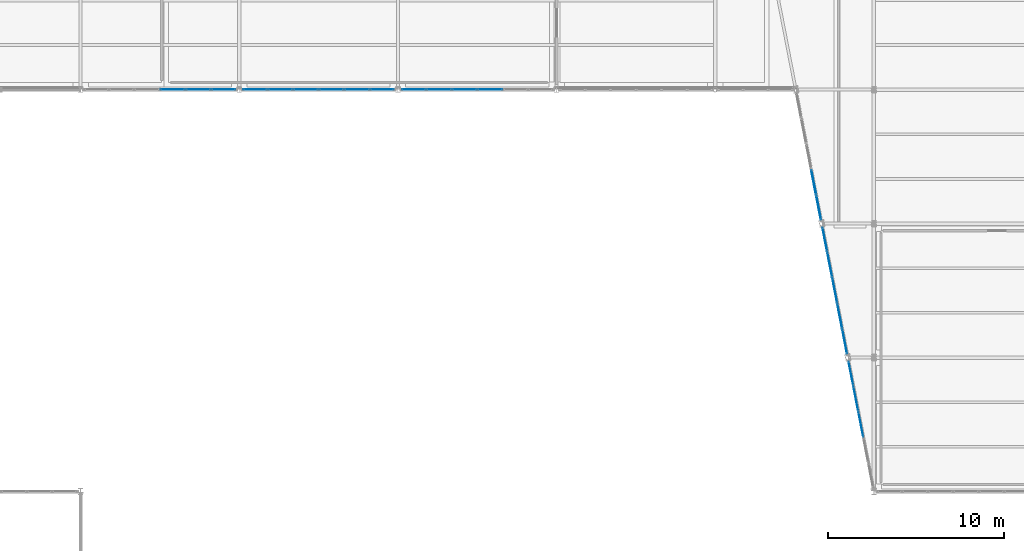
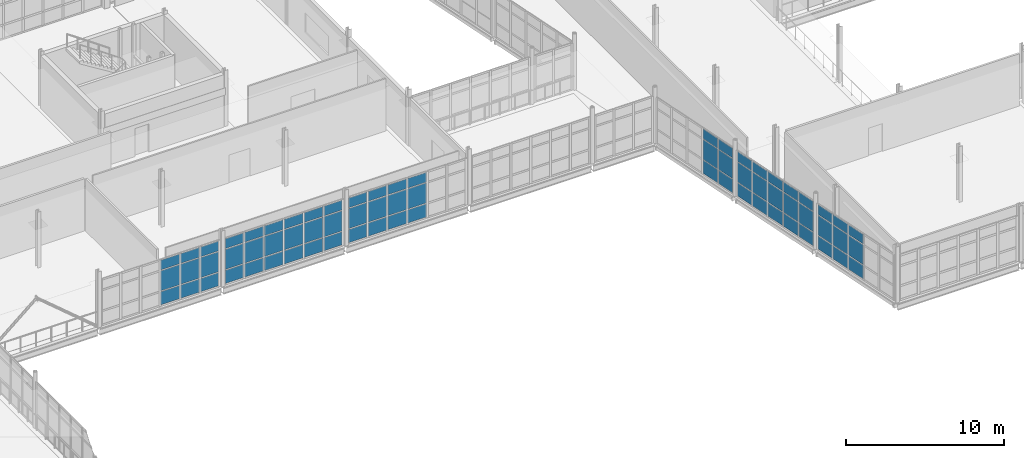
# One storey, part 138 of 174: 69 plates, 6 elements without a shape of their own.
"""IFC4 building model written with IfcOpenShell, lengths in metres."""

from ifc_helpers import new_model, si_unit, direction, frame, origin, origin_2d, place, context, subcontext, project, spatial, rectangle, extrude, material, layer, layer_set, type_object, element, aggregate, save


model = new_model("IFC4")

# Units and contexts
model_context = context("Model", 3, precision=1e-05, world=origin(), true_north=direction((0.0, 1.0)))
body_context = subcontext(model_context, "Body", "Model", "MODEL_VIEW")
ifc_project = project(units=[si_unit("LENGTHUNIT", "METRE"), si_unit("AREAUNIT", "SQUARE_METRE"), si_unit("VOLUMEUNIT", "CUBIC_METRE"), si_unit("PLANEANGLEUNIT", "RADIAN"), si_unit("MASSUNIT", "GRAM", prefix="KILO")], contexts=[model_context])

# Site, building, storey
site_placement = place(None, origin())
site = spatial("IfcSite", under=ifc_project, at=site_placement, CompositionType="ELEMENT")
building_placement = place(site_placement, origin())
building = spatial("IfcBuilding", under=site, at=building_placement, Name="Caisbarro Railhouse Central Library", CompositionType="ELEMENT")
storey_placement = place(building_placement, frame((0.0, 0.0, 5.0400390625)))
storey = spatial("IfcBuildingStorey", under=building, at=storey_placement, Name="L01", CompositionType="ELEMENT", Elevation=5.0400390625)

# Curtain wall, plates
ifc_material_1 = material(Name="Anodised architectural aluminium", Category="aluminium")
curtain_wall_type = type_object("IfcCurtainWallType", Name="CW-CW02", PredefinedType="NOTDEFINED", material=ifc_material_1)
curtain_wall_1_placement = place(storey_placement, origin())
curtain_wall_1 = element("IfcCurtainWall", 1, at=curtain_wall_1_placement, inside=storey, type_object=curtain_wall_type, Name="CW02 curtain wall L01 #110", PredefinedType="NOTDEFINED")
ifc_material_2 = material(Name="Double low-e laminated solar-control glass", Category="glass")
ifc_layer_1 = layer(ifc_material_2, 0.01806640625, Name="Double low-e laminated solar-control glass")
ifc_layer_set_1 = layer_set([ifc_layer_1], Name="Double low-e laminated solar-control glass")
plate_type_1 = type_object("IfcPlateType", Name="CWP-CP18", PredefinedType="CURTAIN_PANEL", material=ifc_layer_set_1)
plate_1_placement = place(storey_placement, frame((116.261474609375, 64.60009765625, 0.06494140625), z_axis=(0.0, 0.0, 1.0), x_axis=(-0.190780945369, 0.981632635401, 0.0)))
plate_1 = element("IfcPlate", 2, at=plate_1_placement, type_object=plate_type_1, Name="CW02 panel 3.1", PredefinedType="CURTAIN_PANEL", context=body_context, shape_type="SweptSolid", body=[
    extrude(rectangle(XDim=1.409423828125, YDim=0.01806640625, at=origin_2d()), origin(), (0.0, 0.0, 1.0), 1.0224609375),
])
plate_2_placement = place(storey_placement, frame((116.261474609375, 64.60009765625, 1.152587890625), z_axis=(0.0, 0.0, 1.0), x_axis=(-0.190780945369, 0.981632635401, 0.0)))
plate_2 = element("IfcPlate", 3, at=plate_2_placement, type_object=plate_type_1, Name="CW02 panel 3.2", PredefinedType="CURTAIN_PANEL", context=body_context, shape_type="SweptSolid", body=[
    extrude(rectangle(XDim=1.409423828125, YDim=0.01806640625, at=origin_2d()), origin(), (0.0, 0.0, 1.0), 1.52490234375),
])
plate_3_placement = place(storey_placement, frame((116.261474609375, 64.60009765625, 2.742431640625), z_axis=(0.0, 0.0, 1.0), x_axis=(-0.190780945369, 0.981632635401, 0.0)))
plate_3 = element("IfcPlate", 4, at=plate_3_placement, type_object=plate_type_1, Name="CW02 panel 3.3", PredefinedType="CURTAIN_PANEL", context=body_context, shape_type="SweptSolid", body=[
    extrude(rectangle(XDim=1.409423828125, YDim=0.01806640625, at=origin_2d()), origin(), (0.0, 0.0, 1.0), 0.75244140625),
])
plate_4_placement = place(storey_placement, frame((115.978271484375, 66.05712890625, 0.06494140625), z_axis=(0.0, 0.0, 1.0), x_axis=(-0.190780945369, 0.981632635401, 0.0)))
plate_4 = element("IfcPlate", 5, at=plate_4_placement, type_object=plate_type_1, Name="CW02 panel 4.1", PredefinedType="CURTAIN_PANEL", context=body_context, shape_type="SweptSolid", body=[
    extrude(rectangle(XDim=1.409423828125, YDim=0.01806640625, at=origin_2d()), origin(), (0.0, 0.0, 1.0), 1.0224609375),
])
plate_5_placement = place(storey_placement, frame((115.978271484375, 66.05712890625, 1.152587890625), z_axis=(0.0, 0.0, 1.0), x_axis=(-0.190780945369, 0.981632635401, 0.0)))
plate_5 = element("IfcPlate", 6, at=plate_5_placement, type_object=plate_type_1, Name="CW02 panel 4.2", PredefinedType="CURTAIN_PANEL", context=body_context, shape_type="SweptSolid", body=[
    extrude(rectangle(XDim=1.409423828125, YDim=0.01806640625, at=origin_2d()), origin(), (0.0, 0.0, 1.0), 1.52490234375),
])
plate_6_placement = place(storey_placement, frame((115.978271484375, 66.05712890625, 2.742431640625), z_axis=(0.0, 0.0, 1.0), x_axis=(-0.190780945369, 0.981632635401, 0.0)))
plate_6 = element("IfcPlate", 7, at=plate_6_placement, type_object=plate_type_1, Name="CW02 panel 4.3", PredefinedType="CURTAIN_PANEL", context=body_context, shape_type="SweptSolid", body=[
    extrude(rectangle(XDim=1.409423828125, YDim=0.01806640625, at=origin_2d()), origin(), (0.0, 0.0, 1.0), 0.75244140625),
])
plate_7_placement = place(storey_placement, frame((115.69873046875, 67.495849609375, 0.06494140625), z_axis=(0.0, 0.0, 1.0), x_axis=(-0.190780945369, 0.981632635401, 0.0)))
plate_7 = element("IfcPlate", 8, at=plate_7_placement, type_object=plate_type_1, Name="CW02 panel 5.1", PredefinedType="CURTAIN_PANEL", context=body_context, shape_type="SweptSolid", body=[
    extrude(rectangle(XDim=1.371826171875, YDim=0.01806640625, at=origin_2d()), origin(), (0.0, 0.0, 1.0), 1.0224609375),
])
plate_8_placement = place(storey_placement, frame((115.69873046875, 67.495849609375, 1.152587890625), z_axis=(0.0, 0.0, 1.0), x_axis=(-0.190780945369, 0.981632635401, 0.0)))
plate_8 = element("IfcPlate", 9, at=plate_8_placement, type_object=plate_type_1, Name="CW02 panel 5.2", PredefinedType="CURTAIN_PANEL", context=body_context, shape_type="SweptSolid", body=[
    extrude(rectangle(XDim=1.371826171875, YDim=0.01806640625, at=origin_2d()), origin(), (0.0, 0.0, 1.0), 1.52490234375),
])
plate_9_placement = place(storey_placement, frame((115.69873046875, 67.495849609375, 2.742431640625), z_axis=(0.0, 0.0, 1.0), x_axis=(-0.190780945369, 0.981632635401, 0.0)))
plate_9 = element("IfcPlate", 10, at=plate_9_placement, type_object=plate_type_1, Name="CW02 panel 5.3", PredefinedType="CURTAIN_PANEL", context=body_context, shape_type="SweptSolid", body=[
    extrude(rectangle(XDim=1.371826171875, YDim=0.01806640625, at=origin_2d()), origin(), (0.0, 0.0, 1.0), 0.75244140625),
])
aggregate(curtain_wall_1, [plate_1, plate_2, plate_3, plate_4, plate_5, plate_6, plate_7, plate_8, plate_9])

curtain_wall_2_placement = place(storey_placement, origin())
curtain_wall_2 = element("IfcCurtainWall", 11, at=curtain_wall_2_placement, inside=storey, type_object=curtain_wall_type, Name="CW02 curtain wall L01 #174", PredefinedType="NOTDEFINED")
plate_10_placement = place(storey_placement, frame((77.223388671875, 83.60009765625, 0.06494140625), z_axis=(0.0, 0.0, 1.0), x_axis=(1.0, 0.0, 0.0)))
plate_10 = element("IfcPlate", 12, at=plate_10_placement, type_object=plate_type_1, Name="CW02 panel 4.1", PredefinedType="CURTAIN_PANEL", context=body_context, shape_type="SweptSolid", body=[
    extrude(rectangle(XDim=1.37158203125, YDim=0.01806640625, at=origin_2d()), origin(), (0.0, 0.0, 1.0), 1.0224609375),
])
plate_11_placement = place(storey_placement, frame((77.223388671875, 83.60009765625, 1.152587890625), z_axis=(0.0, 0.0, 1.0), x_axis=(1.0, 0.0, 0.0)))
plate_11 = element("IfcPlate", 13, at=plate_11_placement, type_object=plate_type_1, Name="CW02 panel 4.2", PredefinedType="CURTAIN_PANEL", context=body_context, shape_type="SweptSolid", body=[
    extrude(rectangle(XDim=1.37158203125, YDim=0.01806640625, at=origin_2d()), origin(), (0.0, 0.0, 1.0), 1.544921875),
])
plate_12_placement = place(storey_placement, frame((77.223388671875, 83.60009765625, 2.762451171875), z_axis=(0.0, 0.0, 1.0), x_axis=(1.0, 0.0, 0.0)))
plate_12 = element("IfcPlate", 14, at=plate_12_placement, type_object=plate_type_1, Name="CW02 panel 4.3", PredefinedType="CURTAIN_PANEL", context=body_context, shape_type="SweptSolid", body=[
    extrude(rectangle(XDim=1.37158203125, YDim=0.01806640625, at=origin_2d()), origin(), (0.0, 0.0, 1.0), 0.75244140625),
])
plate_13_placement = place(storey_placement, frame((78.669921875, 83.60009765625, 0.06494140625), z_axis=(0.0, 0.0, 1.0), x_axis=(1.0, 0.0, 0.0)))
plate_13 = element("IfcPlate", 15, at=plate_13_placement, type_object=plate_type_1, Name="CW02 panel 5.1", PredefinedType="CURTAIN_PANEL", context=body_context, shape_type="SweptSolid", body=[
    extrude(rectangle(XDim=1.37158203125, YDim=0.01806640625, at=origin_2d()), origin(), (0.0, 0.0, 1.0), 1.0224609375),
])
plate_14_placement = place(storey_placement, frame((78.669921875, 83.60009765625, 1.152587890625), z_axis=(0.0, 0.0, 1.0), x_axis=(1.0, 0.0, 0.0)))
plate_14 = element("IfcPlate", 16, at=plate_14_placement, type_object=plate_type_1, Name="CW02 panel 5.2", PredefinedType="CURTAIN_PANEL", context=body_context, shape_type="SweptSolid", body=[
    extrude(rectangle(XDim=1.37158203125, YDim=0.01806640625, at=origin_2d()), origin(), (0.0, 0.0, 1.0), 1.544921875),
])
plate_15_placement = place(storey_placement, frame((78.669921875, 83.60009765625, 2.762451171875), z_axis=(0.0, 0.0, 1.0), x_axis=(1.0, 0.0, 0.0)))
plate_15 = element("IfcPlate", 17, at=plate_15_placement, type_object=plate_type_1, Name="CW02 panel 5.3", PredefinedType="CURTAIN_PANEL", context=body_context, shape_type="SweptSolid", body=[
    extrude(rectangle(XDim=1.37158203125, YDim=0.01806640625, at=origin_2d()), origin(), (0.0, 0.0, 1.0), 0.75244140625),
])
plate_16_placement = place(storey_placement, frame((80.097900390625, 83.60009765625, 0.06494140625), z_axis=(0.0, 0.0, 1.0), x_axis=(1.0, 0.0, 0.0)))
plate_16 = element("IfcPlate", 18, at=plate_16_placement, type_object=plate_type_1, Name="CW02 panel 6.1", PredefinedType="CURTAIN_PANEL", context=body_context, shape_type="SweptSolid", body=[
    extrude(rectangle(XDim=1.334228515625, YDim=0.01806640625, at=origin_2d()), origin(), (0.0, 0.0, 1.0), 1.0224609375),
])
plate_17_placement = place(storey_placement, frame((80.097900390625, 83.60009765625, 1.152587890625), z_axis=(0.0, 0.0, 1.0), x_axis=(1.0, 0.0, 0.0)))
plate_17 = element("IfcPlate", 19, at=plate_17_placement, type_object=plate_type_1, Name="CW02 panel 6.2", PredefinedType="CURTAIN_PANEL", context=body_context, shape_type="SweptSolid", body=[
    extrude(rectangle(XDim=1.334228515625, YDim=0.01806640625, at=origin_2d()), origin(), (0.0, 0.0, 1.0), 1.544921875),
])
plate_18_placement = place(storey_placement, frame((80.097900390625, 83.60009765625, 2.762451171875), z_axis=(0.0, 0.0, 1.0), x_axis=(1.0, 0.0, 0.0)))
plate_18 = element("IfcPlate", 20, at=plate_18_placement, type_object=plate_type_1, Name="CW02 panel 6.3", PredefinedType="CURTAIN_PANEL", context=body_context, shape_type="SweptSolid", body=[
    extrude(rectangle(XDim=1.334228515625, YDim=0.01806640625, at=origin_2d()), origin(), (0.0, 0.0, 1.0), 0.75244140625),
])
aggregate(curtain_wall_2, [plate_10, plate_11, plate_12, plate_13, plate_14, plate_15, plate_16, plate_17, plate_18])

curtain_wall_3_placement = place(storey_placement, origin())
curtain_wall_3 = element("IfcCurtainWall", 21, at=curtain_wall_3_placement, inside=storey, type_object=curtain_wall_type, Name="CW02 curtain wall L01 #176", PredefinedType="NOTDEFINED")
plate_19_placement = place(storey_placement, frame((81.902099609375, 83.60009765625, 0.06494140625), z_axis=(0.0, 0.0, 1.0), x_axis=(1.0, 0.0, 0.0)))
plate_19 = element("IfcPlate", 22, at=plate_19_placement, type_object=plate_type_1, Name="CW02 panel 1.1", PredefinedType="CURTAIN_PANEL", context=body_context, shape_type="SweptSolid", body=[
    extrude(rectangle(XDim=1.334228515625, YDim=0.01806640625, at=origin_2d()), origin(), (0.0, 0.0, 1.0), 1.0224609375),
])
plate_20_placement = place(storey_placement, frame((81.902099609375, 83.60009765625, 1.152587890625), z_axis=(0.0, 0.0, 1.0), x_axis=(1.0, 0.0, 0.0)))
plate_20 = element("IfcPlate", 23, at=plate_20_placement, type_object=plate_type_1, Name="CW02 panel 1.2", PredefinedType="CURTAIN_PANEL", context=body_context, shape_type="SweptSolid", body=[
    extrude(rectangle(XDim=1.334228515625, YDim=0.01806640625, at=origin_2d()), origin(), (0.0, 0.0, 1.0), 1.544921875),
])
plate_21_placement = place(storey_placement, frame((81.902099609375, 83.60009765625, 2.762451171875), z_axis=(0.0, 0.0, 1.0), x_axis=(1.0, 0.0, 0.0)))
plate_21 = element("IfcPlate", 24, at=plate_21_placement, type_object=plate_type_1, Name="CW02 panel 1.3", PredefinedType="CURTAIN_PANEL", context=body_context, shape_type="SweptSolid", body=[
    extrude(rectangle(XDim=1.334228515625, YDim=0.01806640625, at=origin_2d()), origin(), (0.0, 0.0, 1.0), 0.75244140625),
])
plate_22_placement = place(storey_placement, frame((83.330078125, 83.60009765625, 0.06494140625), z_axis=(0.0, 0.0, 1.0), x_axis=(1.0, 0.0, 0.0)))
plate_22 = element("IfcPlate", 25, at=plate_22_placement, type_object=plate_type_1, Name="CW02 panel 2.1", PredefinedType="CURTAIN_PANEL", context=body_context, shape_type="SweptSolid", body=[
    extrude(rectangle(XDim=1.37158203125, YDim=0.01806640625, at=origin_2d()), origin(), (0.0, 0.0, 1.0), 1.0224609375),
])
plate_23_placement = place(storey_placement, frame((83.330078125, 83.60009765625, 1.152587890625), z_axis=(0.0, 0.0, 1.0), x_axis=(1.0, 0.0, 0.0)))
plate_23 = element("IfcPlate", 26, at=plate_23_placement, type_object=plate_type_1, Name="CW02 panel 2.2", PredefinedType="CURTAIN_PANEL", context=body_context, shape_type="SweptSolid", body=[
    extrude(rectangle(XDim=1.37158203125, YDim=0.01806640625, at=origin_2d()), origin(), (0.0, 0.0, 1.0), 1.544921875),
])
plate_24_placement = place(storey_placement, frame((83.330078125, 83.60009765625, 2.762451171875), z_axis=(0.0, 0.0, 1.0), x_axis=(1.0, 0.0, 0.0)))
plate_24 = element("IfcPlate", 27, at=plate_24_placement, type_object=plate_type_1, Name="CW02 panel 2.3", PredefinedType="CURTAIN_PANEL", context=body_context, shape_type="SweptSolid", body=[
    extrude(rectangle(XDim=1.37158203125, YDim=0.01806640625, at=origin_2d()), origin(), (0.0, 0.0, 1.0), 0.75244140625),
])
plate_25_placement = place(storey_placement, frame((84.776611328125, 83.60009765625, 0.06494140625), z_axis=(0.0, 0.0, 1.0), x_axis=(1.0, 0.0, 0.0)))
plate_25 = element("IfcPlate", 28, at=plate_25_placement, type_object=plate_type_1, Name="CW02 panel 3.1", PredefinedType="CURTAIN_PANEL", context=body_context, shape_type="SweptSolid", body=[
    extrude(rectangle(XDim=1.37158203125, YDim=0.01806640625, at=origin_2d()), origin(), (0.0, 0.0, 1.0), 1.0224609375),
])
plate_26_placement = place(storey_placement, frame((84.776611328125, 83.60009765625, 1.152587890625), z_axis=(0.0, 0.0, 1.0), x_axis=(1.0, 0.0, 0.0)))
plate_26 = element("IfcPlate", 29, at=plate_26_placement, type_object=plate_type_1, Name="CW02 panel 3.2", PredefinedType="CURTAIN_PANEL", context=body_context, shape_type="SweptSolid", body=[
    extrude(rectangle(XDim=1.37158203125, YDim=0.01806640625, at=origin_2d()), origin(), (0.0, 0.0, 1.0), 1.544921875),
])
plate_27_placement = place(storey_placement, frame((84.776611328125, 83.60009765625, 2.762451171875), z_axis=(0.0, 0.0, 1.0), x_axis=(1.0, 0.0, 0.0)))
plate_27 = element("IfcPlate", 30, at=plate_27_placement, type_object=plate_type_1, Name="CW02 panel 3.3", PredefinedType="CURTAIN_PANEL", context=body_context, shape_type="SweptSolid", body=[
    extrude(rectangle(XDim=1.37158203125, YDim=0.01806640625, at=origin_2d()), origin(), (0.0, 0.0, 1.0), 0.75244140625),
])
plate_28_placement = place(storey_placement, frame((86.223388671875, 83.60009765625, 0.06494140625), z_axis=(0.0, 0.0, 1.0), x_axis=(1.0, 0.0, 0.0)))
plate_28 = element("IfcPlate", 31, at=plate_28_placement, type_object=plate_type_1, Name="CW02 panel 4.1", PredefinedType="CURTAIN_PANEL", context=body_context, shape_type="SweptSolid", body=[
    extrude(rectangle(XDim=1.37158203125, YDim=0.01806640625, at=origin_2d()), origin(), (0.0, 0.0, 1.0), 1.0224609375),
])
plate_29_placement = place(storey_placement, frame((86.223388671875, 83.60009765625, 1.152587890625), z_axis=(0.0, 0.0, 1.0), x_axis=(1.0, 0.0, 0.0)))
plate_29 = element("IfcPlate", 32, at=plate_29_placement, type_object=plate_type_1, Name="CW02 panel 4.2", PredefinedType="CURTAIN_PANEL", context=body_context, shape_type="SweptSolid", body=[
    extrude(rectangle(XDim=1.37158203125, YDim=0.01806640625, at=origin_2d()), origin(), (0.0, 0.0, 1.0), 1.544921875),
])
plate_30_placement = place(storey_placement, frame((86.223388671875, 83.60009765625, 2.762451171875), z_axis=(0.0, 0.0, 1.0), x_axis=(1.0, 0.0, 0.0)))
plate_30 = element("IfcPlate", 33, at=plate_30_placement, type_object=plate_type_1, Name="CW02 panel 4.3", PredefinedType="CURTAIN_PANEL", context=body_context, shape_type="SweptSolid", body=[
    extrude(rectangle(XDim=1.37158203125, YDim=0.01806640625, at=origin_2d()), origin(), (0.0, 0.0, 1.0), 0.75244140625),
])
plate_31_placement = place(storey_placement, frame((87.669921875, 83.60009765625, 0.06494140625), z_axis=(0.0, 0.0, 1.0), x_axis=(1.0, 0.0, 0.0)))
plate_31 = element("IfcPlate", 34, at=plate_31_placement, type_object=plate_type_1, Name="CW02 panel 5.1", PredefinedType="CURTAIN_PANEL", context=body_context, shape_type="SweptSolid", body=[
    extrude(rectangle(XDim=1.37158203125, YDim=0.01806640625, at=origin_2d()), origin(), (0.0, 0.0, 1.0), 1.0224609375),
])
plate_32_placement = place(storey_placement, frame((87.669921875, 83.60009765625, 1.152587890625), z_axis=(0.0, 0.0, 1.0), x_axis=(1.0, 0.0, 0.0)))
plate_32 = element("IfcPlate", 35, at=plate_32_placement, type_object=plate_type_1, Name="CW02 panel 5.2", PredefinedType="CURTAIN_PANEL", context=body_context, shape_type="SweptSolid", body=[
    extrude(rectangle(XDim=1.37158203125, YDim=0.01806640625, at=origin_2d()), origin(), (0.0, 0.0, 1.0), 1.544921875),
])
plate_33_placement = place(storey_placement, frame((87.669921875, 83.60009765625, 2.762451171875), z_axis=(0.0, 0.0, 1.0), x_axis=(1.0, 0.0, 0.0)))
plate_33 = element("IfcPlate", 36, at=plate_33_placement, type_object=plate_type_1, Name="CW02 panel 5.3", PredefinedType="CURTAIN_PANEL", context=body_context, shape_type="SweptSolid", body=[
    extrude(rectangle(XDim=1.37158203125, YDim=0.01806640625, at=origin_2d()), origin(), (0.0, 0.0, 1.0), 0.75244140625),
])
plate_34_placement = place(storey_placement, frame((89.097900390625, 83.60009765625, 0.06494140625), z_axis=(0.0, 0.0, 1.0), x_axis=(1.0, 0.0, 0.0)))
plate_34 = element("IfcPlate", 37, at=plate_34_placement, type_object=plate_type_1, Name="CW02 panel 6.1", PredefinedType="CURTAIN_PANEL", context=body_context, shape_type="SweptSolid", body=[
    extrude(rectangle(XDim=1.334228515625, YDim=0.01806640625, at=origin_2d()), origin(), (0.0, 0.0, 1.0), 1.0224609375),
])
plate_35_placement = place(storey_placement, frame((89.097900390625, 83.60009765625, 1.152587890625), z_axis=(0.0, 0.0, 1.0), x_axis=(1.0, 0.0, 0.0)))
plate_35 = element("IfcPlate", 38, at=plate_35_placement, type_object=plate_type_1, Name="CW02 panel 6.2", PredefinedType="CURTAIN_PANEL", context=body_context, shape_type="SweptSolid", body=[
    extrude(rectangle(XDim=1.334228515625, YDim=0.01806640625, at=origin_2d()), origin(), (0.0, 0.0, 1.0), 1.544921875),
])
plate_36_placement = place(storey_placement, frame((89.097900390625, 83.60009765625, 2.762451171875), z_axis=(0.0, 0.0, 1.0), x_axis=(1.0, 0.0, 0.0)))
plate_36 = element("IfcPlate", 39, at=plate_36_placement, type_object=plate_type_1, Name="CW02 panel 6.3", PredefinedType="CURTAIN_PANEL", context=body_context, shape_type="SweptSolid", body=[
    extrude(rectangle(XDim=1.334228515625, YDim=0.01806640625, at=origin_2d()), origin(), (0.0, 0.0, 1.0), 0.75244140625),
])
aggregate(curtain_wall_3, [plate_19, plate_20, plate_21, plate_22, plate_23, plate_24, plate_25, plate_26, plate_27, plate_28, plate_29, plate_30, plate_31, plate_32, plate_33, plate_34, plate_35, plate_36])

curtain_wall_4_placement = place(storey_placement, origin())
curtain_wall_4 = element("IfcCurtainWall", 40, at=curtain_wall_4_placement, inside=storey, type_object=curtain_wall_type, Name="CW02 curtain wall L01 #178", PredefinedType="NOTDEFINED")
plate_37_placement = place(storey_placement, frame((90.902099609375, 83.60009765625, 0.06494140625), z_axis=(0.0, 0.0, 1.0), x_axis=(1.0, 0.0, 0.0)))
plate_37 = element("IfcPlate", 41, at=plate_37_placement, type_object=plate_type_1, Name="CW02 panel 1.1", PredefinedType="CURTAIN_PANEL", context=body_context, shape_type="SweptSolid", body=[
    extrude(rectangle(XDim=1.334228515625, YDim=0.01806640625, at=origin_2d()), origin(), (0.0, 0.0, 1.0), 1.0224609375),
])
plate_38_placement = place(storey_placement, frame((90.902099609375, 83.60009765625, 1.152587890625), z_axis=(0.0, 0.0, 1.0), x_axis=(1.0, 0.0, 0.0)))
plate_38 = element("IfcPlate", 42, at=plate_38_placement, type_object=plate_type_1, Name="CW02 panel 1.2", PredefinedType="CURTAIN_PANEL", context=body_context, shape_type="SweptSolid", body=[
    extrude(rectangle(XDim=1.334228515625, YDim=0.01806640625, at=origin_2d()), origin(), (0.0, 0.0, 1.0), 1.544921875),
])
plate_39_placement = place(storey_placement, frame((90.902099609375, 83.60009765625, 2.762451171875), z_axis=(0.0, 0.0, 1.0), x_axis=(1.0, 0.0, 0.0)))
plate_39 = element("IfcPlate", 43, at=plate_39_placement, type_object=plate_type_1, Name="CW02 panel 1.3", PredefinedType="CURTAIN_PANEL", context=body_context, shape_type="SweptSolid", body=[
    extrude(rectangle(XDim=1.334228515625, YDim=0.01806640625, at=origin_2d()), origin(), (0.0, 0.0, 1.0), 0.75244140625),
])
plate_40_placement = place(storey_placement, frame((92.330078125, 83.60009765625, 0.06494140625), z_axis=(0.0, 0.0, 1.0), x_axis=(1.0, 0.0, 0.0)))
plate_40 = element("IfcPlate", 44, at=plate_40_placement, type_object=plate_type_1, Name="CW02 panel 2.1", PredefinedType="CURTAIN_PANEL", context=body_context, shape_type="SweptSolid", body=[
    extrude(rectangle(XDim=1.37158203125, YDim=0.01806640625, at=origin_2d()), origin(), (0.0, 0.0, 1.0), 1.0224609375),
])
plate_41_placement = place(storey_placement, frame((92.330078125, 83.60009765625, 1.152587890625), z_axis=(0.0, 0.0, 1.0), x_axis=(1.0, 0.0, 0.0)))
plate_41 = element("IfcPlate", 45, at=plate_41_placement, type_object=plate_type_1, Name="CW02 panel 2.2", PredefinedType="CURTAIN_PANEL", context=body_context, shape_type="SweptSolid", body=[
    extrude(rectangle(XDim=1.37158203125, YDim=0.01806640625, at=origin_2d()), origin(), (0.0, 0.0, 1.0), 1.544921875),
])
plate_42_placement = place(storey_placement, frame((92.330078125, 83.60009765625, 2.762451171875), z_axis=(0.0, 0.0, 1.0), x_axis=(1.0, 0.0, 0.0)))
plate_42 = element("IfcPlate", 46, at=plate_42_placement, type_object=plate_type_1, Name="CW02 panel 2.3", PredefinedType="CURTAIN_PANEL", context=body_context, shape_type="SweptSolid", body=[
    extrude(rectangle(XDim=1.37158203125, YDim=0.01806640625, at=origin_2d()), origin(), (0.0, 0.0, 1.0), 0.75244140625),
])
plate_43_placement = place(storey_placement, frame((93.776611328125, 83.60009765625, 0.06494140625), z_axis=(0.0, 0.0, 1.0), x_axis=(1.0, 0.0, 0.0)))
plate_43 = element("IfcPlate", 47, at=plate_43_placement, type_object=plate_type_1, Name="CW02 panel 3.1", PredefinedType="CURTAIN_PANEL", context=body_context, shape_type="SweptSolid", body=[
    extrude(rectangle(XDim=1.37158203125, YDim=0.01806640625, at=origin_2d()), origin(), (0.0, 0.0, 1.0), 1.0224609375),
])
plate_44_placement = place(storey_placement, frame((93.776611328125, 83.60009765625, 1.152587890625), z_axis=(0.0, 0.0, 1.0), x_axis=(1.0, 0.0, 0.0)))
plate_44 = element("IfcPlate", 48, at=plate_44_placement, type_object=plate_type_1, Name="CW02 panel 3.2", PredefinedType="CURTAIN_PANEL", context=body_context, shape_type="SweptSolid", body=[
    extrude(rectangle(XDim=1.37158203125, YDim=0.01806640625, at=origin_2d()), origin(), (0.0, 0.0, 1.0), 1.544921875),
])
plate_45_placement = place(storey_placement, frame((93.776611328125, 83.60009765625, 2.762451171875), z_axis=(0.0, 0.0, 1.0), x_axis=(1.0, 0.0, 0.0)))
plate_45 = element("IfcPlate", 49, at=plate_45_placement, type_object=plate_type_1, Name="CW02 panel 3.3", PredefinedType="CURTAIN_PANEL", context=body_context, shape_type="SweptSolid", body=[
    extrude(rectangle(XDim=1.37158203125, YDim=0.01806640625, at=origin_2d()), origin(), (0.0, 0.0, 1.0), 0.75244140625),
])
plate_46_placement = place(storey_placement, frame((95.223388671875, 83.60009765625, 0.06494140625), z_axis=(0.0, 0.0, 1.0), x_axis=(1.0, 0.0, 0.0)))
plate_46 = element("IfcPlate", 50, at=plate_46_placement, type_object=plate_type_1, Name="CW02 panel 4.1", PredefinedType="CURTAIN_PANEL", context=body_context, shape_type="SweptSolid", body=[
    extrude(rectangle(XDim=1.37158203125, YDim=0.01806640625, at=origin_2d()), origin(), (0.0, 0.0, 1.0), 1.0224609375),
])
plate_47_placement = place(storey_placement, frame((95.223388671875, 83.60009765625, 1.152587890625), z_axis=(0.0, 0.0, 1.0), x_axis=(1.0, 0.0, 0.0)))
plate_47 = element("IfcPlate", 51, at=plate_47_placement, type_object=plate_type_1, Name="CW02 panel 4.2", PredefinedType="CURTAIN_PANEL", context=body_context, shape_type="SweptSolid", body=[
    extrude(rectangle(XDim=1.37158203125, YDim=0.01806640625, at=origin_2d()), origin(), (0.0, 0.0, 1.0), 1.544921875),
])
plate_48_placement = place(storey_placement, frame((95.223388671875, 83.60009765625, 2.762451171875), z_axis=(0.0, 0.0, 1.0), x_axis=(1.0, 0.0, 0.0)))
plate_48 = element("IfcPlate", 52, at=plate_48_placement, type_object=plate_type_1, Name="CW02 panel 4.3", PredefinedType="CURTAIN_PANEL", context=body_context, shape_type="SweptSolid", body=[
    extrude(rectangle(XDim=1.37158203125, YDim=0.01806640625, at=origin_2d()), origin(), (0.0, 0.0, 1.0), 0.75244140625),
])
aggregate(curtain_wall_4, [plate_37, plate_38, plate_39, plate_40, plate_41, plate_42, plate_43, plate_44, plate_45, plate_46, plate_47, plate_48])

curtain_wall_5_placement = place(storey_placement, origin())
curtain_wall_5 = element("IfcCurtainWall", 53, at=curtain_wall_5_placement, inside=storey, type_object=curtain_wall_type, Name="CW02 curtain wall L01 #111", PredefinedType="NOTDEFINED")
ifc_layer_2 = layer(ifc_material_2, 0.028076171875, Name="Double low-e laminated solar-control glass")
ifc_layer_set_2 = layer_set([ifc_layer_2], Name="Double low-e laminated solar-control glass")
plate_type_2 = type_object("IfcPlateType", Name="CWP-CP28", PredefinedType="CURTAIN_PANEL", material=ifc_layer_set_2)
plate_49_placement = place(storey_placement, frame((115.34716796875, 69.30419921875, 0.06494140625), z_axis=(0.0, 0.0, 1.0), x_axis=(-0.190910768765, 0.98160739523, 0.0)))
plate_49 = element("IfcPlate", 54, at=plate_49_placement, type_object=plate_type_2, Name="CW02 panel 1.1", PredefinedType="CURTAIN_PANEL", context=body_context, shape_type="SweptSolid", body=[
    extrude(rectangle(XDim=1.3720703125, YDim=0.028076171875, at=origin_2d()), origin(), (0.0, 0.0, 1.0), 1.0224609375),
])
plate_50_placement = place(storey_placement, frame((115.34716796875, 69.30419921875, 1.152587890625), z_axis=(0.0, 0.0, 1.0), x_axis=(-0.190910768765, 0.98160739523, 0.0)))
plate_50 = element("IfcPlate", 55, at=plate_50_placement, type_object=plate_type_2, Name="CW02 panel 1.2", PredefinedType="CURTAIN_PANEL", context=body_context, shape_type="SweptSolid", body=[
    extrude(rectangle(XDim=1.3720703125, YDim=0.028076171875, at=origin_2d()), origin(), (0.0, 0.0, 1.0), 1.52490234375),
])
plate_51_placement = place(storey_placement, frame((115.34716796875, 69.30419921875, 2.742431640625), z_axis=(0.0, 0.0, 1.0), x_axis=(-0.190910768765, 0.98160739523, 0.0)))
plate_51 = element("IfcPlate", 56, at=plate_51_placement, type_object=plate_type_2, Name="CW02 panel 1.3", PredefinedType="CURTAIN_PANEL", context=body_context, shape_type="SweptSolid", body=[
    extrude(rectangle(XDim=1.3720703125, YDim=0.028076171875, at=origin_2d()), origin(), (0.0, 0.0, 1.0), 0.75244140625),
])
plate_52_placement = place(storey_placement, frame((115.0673828125, 70.742919921875, 0.06494140625), z_axis=(0.0, 0.0, 1.0), x_axis=(-0.190910768765, 0.98160739523, 0.0)))
plate_52 = element("IfcPlate", 57, at=plate_52_placement, type_object=plate_type_2, Name="CW02 panel 2.1", PredefinedType="CURTAIN_PANEL", context=body_context, shape_type="SweptSolid", body=[
    extrude(rectangle(XDim=1.409423828125, YDim=0.028076171875, at=origin_2d()), origin(), (0.0, 0.0, 1.0), 1.0224609375),
])
plate_53_placement = place(storey_placement, frame((115.0673828125, 70.742919921875, 1.152587890625), z_axis=(0.0, 0.0, 1.0), x_axis=(-0.190910768765, 0.98160739523, 0.0)))
plate_53 = element("IfcPlate", 58, at=plate_53_placement, type_object=plate_type_2, Name="CW02 panel 2.2", PredefinedType="CURTAIN_PANEL", context=body_context, shape_type="SweptSolid", body=[
    extrude(rectangle(XDim=1.409423828125, YDim=0.028076171875, at=origin_2d()), origin(), (0.0, 0.0, 1.0), 1.52490234375),
])
plate_54_placement = place(storey_placement, frame((115.0673828125, 70.742919921875, 2.742431640625), z_axis=(0.0, 0.0, 1.0), x_axis=(-0.190910768765, 0.98160739523, 0.0)))
plate_54 = element("IfcPlate", 59, at=plate_54_placement, type_object=plate_type_2, Name="CW02 panel 2.3", PredefinedType="CURTAIN_PANEL", context=body_context, shape_type="SweptSolid", body=[
    extrude(rectangle(XDim=1.409423828125, YDim=0.028076171875, at=origin_2d()), origin(), (0.0, 0.0, 1.0), 0.75244140625),
])
plate_55_placement = place(storey_placement, frame((114.783935546875, 72.199951171875, 0.06494140625), z_axis=(0.0, 0.0, 1.0), x_axis=(-0.190910768765, 0.98160739523, 0.0)))
plate_55 = element("IfcPlate", 60, at=plate_55_placement, type_object=plate_type_2, Name="CW02 panel 3.1", PredefinedType="CURTAIN_PANEL", context=body_context, shape_type="SweptSolid", body=[
    extrude(rectangle(XDim=1.409423828125, YDim=0.028076171875, at=origin_2d()), origin(), (0.0, 0.0, 1.0), 1.0224609375),
])
plate_56_placement = place(storey_placement, frame((114.783935546875, 72.199951171875, 1.152587890625), z_axis=(0.0, 0.0, 1.0), x_axis=(-0.190910768765, 0.98160739523, 0.0)))
plate_56 = element("IfcPlate", 61, at=plate_56_placement, type_object=plate_type_2, Name="CW02 panel 3.2", PredefinedType="CURTAIN_PANEL", context=body_context, shape_type="SweptSolid", body=[
    extrude(rectangle(XDim=1.409423828125, YDim=0.028076171875, at=origin_2d()), origin(), (0.0, 0.0, 1.0), 1.52490234375),
])
plate_57_placement = place(storey_placement, frame((114.783935546875, 72.199951171875, 2.742431640625), z_axis=(0.0, 0.0, 1.0), x_axis=(-0.190910768765, 0.98160739523, 0.0)))
plate_57 = element("IfcPlate", 62, at=plate_57_placement, type_object=plate_type_2, Name="CW02 panel 3.3", PredefinedType="CURTAIN_PANEL", context=body_context, shape_type="SweptSolid", body=[
    extrude(rectangle(XDim=1.409423828125, YDim=0.028076171875, at=origin_2d()), origin(), (0.0, 0.0, 1.0), 0.75244140625),
])
plate_58_placement = place(storey_placement, frame((114.50048828125, 73.6572265625, 0.06494140625), z_axis=(0.0, 0.0, 1.0), x_axis=(-0.190910768765, 0.98160739523, 0.0)))
plate_58 = element("IfcPlate", 63, at=plate_58_placement, type_object=plate_type_2, Name="CW02 panel 4.1", PredefinedType="CURTAIN_PANEL", context=body_context, shape_type="SweptSolid", body=[
    extrude(rectangle(XDim=1.409423828125, YDim=0.028076171875, at=origin_2d()), origin(), (0.0, 0.0, 1.0), 1.0224609375),
])
plate_59_placement = place(storey_placement, frame((114.50048828125, 73.6572265625, 1.152587890625), z_axis=(0.0, 0.0, 1.0), x_axis=(-0.190910768765, 0.98160739523, 0.0)))
plate_59 = element("IfcPlate", 64, at=plate_59_placement, type_object=plate_type_2, Name="CW02 panel 4.2", PredefinedType="CURTAIN_PANEL", context=body_context, shape_type="SweptSolid", body=[
    extrude(rectangle(XDim=1.409423828125, YDim=0.028076171875, at=origin_2d()), origin(), (0.0, 0.0, 1.0), 1.52490234375),
])
plate_60_placement = place(storey_placement, frame((114.50048828125, 73.6572265625, 2.742431640625), z_axis=(0.0, 0.0, 1.0), x_axis=(-0.190910768765, 0.98160739523, 0.0)))
plate_60 = element("IfcPlate", 65, at=plate_60_placement, type_object=plate_type_2, Name="CW02 panel 4.3", PredefinedType="CURTAIN_PANEL", context=body_context, shape_type="SweptSolid", body=[
    extrude(rectangle(XDim=1.409423828125, YDim=0.028076171875, at=origin_2d()), origin(), (0.0, 0.0, 1.0), 0.75244140625),
])
plate_61_placement = place(storey_placement, frame((114.220703125, 75.095947265625, 0.06494140625), z_axis=(0.0, 0.0, 1.0), x_axis=(-0.190910768765, 0.98160739523, 0.0)))
plate_61 = element("IfcPlate", 66, at=plate_61_placement, type_object=plate_type_2, Name="CW02 panel 5.1", PredefinedType="CURTAIN_PANEL", context=body_context, shape_type="SweptSolid", body=[
    extrude(rectangle(XDim=1.3720703125, YDim=0.028076171875, at=origin_2d()), origin(), (0.0, 0.0, 1.0), 1.0224609375),
])
plate_62_placement = place(storey_placement, frame((114.220703125, 75.095947265625, 1.152587890625), z_axis=(0.0, 0.0, 1.0), x_axis=(-0.190910768765, 0.98160739523, 0.0)))
plate_62 = element("IfcPlate", 67, at=plate_62_placement, type_object=plate_type_2, Name="CW02 panel 5.2", PredefinedType="CURTAIN_PANEL", context=body_context, shape_type="SweptSolid", body=[
    extrude(rectangle(XDim=1.3720703125, YDim=0.028076171875, at=origin_2d()), origin(), (0.0, 0.0, 1.0), 1.52490234375),
])
plate_63_placement = place(storey_placement, frame((114.220703125, 75.095947265625, 2.742431640625), z_axis=(0.0, 0.0, 1.0), x_axis=(-0.190910768765, 0.98160739523, 0.0)))
plate_63 = element("IfcPlate", 68, at=plate_63_placement, type_object=plate_type_2, Name="CW02 panel 5.3", PredefinedType="CURTAIN_PANEL", context=body_context, shape_type="SweptSolid", body=[
    extrude(rectangle(XDim=1.3720703125, YDim=0.028076171875, at=origin_2d()), origin(), (0.0, 0.0, 1.0), 0.75244140625),
])
aggregate(curtain_wall_5, [plate_49, plate_50, plate_51, plate_52, plate_53, plate_54, plate_55, plate_56, plate_57, plate_58, plate_59, plate_60, plate_61, plate_62, plate_63])

curtain_wall_6_placement = place(storey_placement, origin())
curtain_wall_6 = element("IfcCurtainWall", 69, at=curtain_wall_6_placement, inside=storey, type_object=curtain_wall_type, Name="CW02 curtain wall L01 #112", PredefinedType="NOTDEFINED")
ifc_layer_3 = layer(ifc_material_2, 0.0380859375, Name="Double low-e laminated solar-control glass")
ifc_layer_set_3 = layer_set([ifc_layer_3], Name="Double low-e laminated solar-control glass")
plate_type_3 = type_object("IfcPlateType", Name="CWP-CP38", PredefinedType="CURTAIN_PANEL", material=ifc_layer_set_3)
plate_64_placement = place(storey_placement, frame((113.869384765625, 76.904052734375, 0.06494140625), z_axis=(0.0, 0.0, 1.0), x_axis=(-0.190780945369, 0.981632635401, 0.0)))
plate_64 = element("IfcPlate", 70, at=plate_64_placement, type_object=plate_type_3, Name="CW02 panel 1.1", PredefinedType="CURTAIN_PANEL", context=body_context, shape_type="SweptSolid", body=[
    extrude(rectangle(XDim=1.371826171875, YDim=0.0380859375, at=origin_2d()), origin(), (0.0, 0.0, 1.0), 1.0224609375),
])
plate_65_placement = place(storey_placement, frame((113.869384765625, 76.904052734375, 1.152587890625), z_axis=(0.0, 0.0, 1.0), x_axis=(-0.190780945369, 0.981632635401, 0.0)))
plate_65 = element("IfcPlate", 71, at=plate_65_placement, type_object=plate_type_3, Name="CW02 panel 1.2", PredefinedType="CURTAIN_PANEL", context=body_context, shape_type="SweptSolid", body=[
    extrude(rectangle(XDim=1.371826171875, YDim=0.0380859375, at=origin_2d()), origin(), (0.0, 0.0, 1.0), 1.52490234375),
])
plate_66_placement = place(storey_placement, frame((113.869384765625, 76.904052734375, 2.742431640625), z_axis=(0.0, 0.0, 1.0), x_axis=(-0.190780945369, 0.981632635401, 0.0)))
plate_66 = element("IfcPlate", 72, at=plate_66_placement, type_object=plate_type_3, Name="CW02 panel 1.3", PredefinedType="CURTAIN_PANEL", context=body_context, shape_type="SweptSolid", body=[
    extrude(rectangle(XDim=1.371826171875, YDim=0.0380859375, at=origin_2d()), origin(), (0.0, 0.0, 1.0), 0.75244140625),
])
plate_67_placement = place(storey_placement, frame((113.589599609375, 78.3427734375, 0.06494140625), z_axis=(0.0, 0.0, 1.0), x_axis=(-0.190780945369, 0.981632635401, 0.0)))
plate_67 = element("IfcPlate", 73, at=plate_67_placement, type_object=plate_type_3, Name="CW02 panel 2.1", PredefinedType="CURTAIN_PANEL", context=body_context, shape_type="SweptSolid", body=[
    extrude(rectangle(XDim=1.409423828125, YDim=0.0380859375, at=origin_2d()), origin(), (0.0, 0.0, 1.0), 1.0224609375),
])
plate_68_placement = place(storey_placement, frame((113.589599609375, 78.3427734375, 1.152587890625), z_axis=(0.0, 0.0, 1.0), x_axis=(-0.190780945369, 0.981632635401, 0.0)))
plate_68 = element("IfcPlate", 74, at=plate_68_placement, type_object=plate_type_3, Name="CW02 panel 2.2", PredefinedType="CURTAIN_PANEL", context=body_context, shape_type="SweptSolid", body=[
    extrude(rectangle(XDim=1.409423828125, YDim=0.0380859375, at=origin_2d()), origin(), (0.0, 0.0, 1.0), 1.52490234375),
])
plate_69_placement = place(storey_placement, frame((113.589599609375, 78.3427734375, 2.742431640625), z_axis=(0.0, 0.0, 1.0), x_axis=(-0.190780945369, 0.981632635401, 0.0)))
plate_69 = element("IfcPlate", 75, at=plate_69_placement, type_object=plate_type_3, Name="CW02 panel 2.3", PredefinedType="CURTAIN_PANEL", context=body_context, shape_type="SweptSolid", body=[
    extrude(rectangle(XDim=1.409423828125, YDim=0.0380859375, at=origin_2d()), origin(), (0.0, 0.0, 1.0), 0.75244140625),
])
aggregate(curtain_wall_6, [plate_64, plate_65, plate_66, plate_67, plate_68, plate_69])

save(model, "model.ifc")
